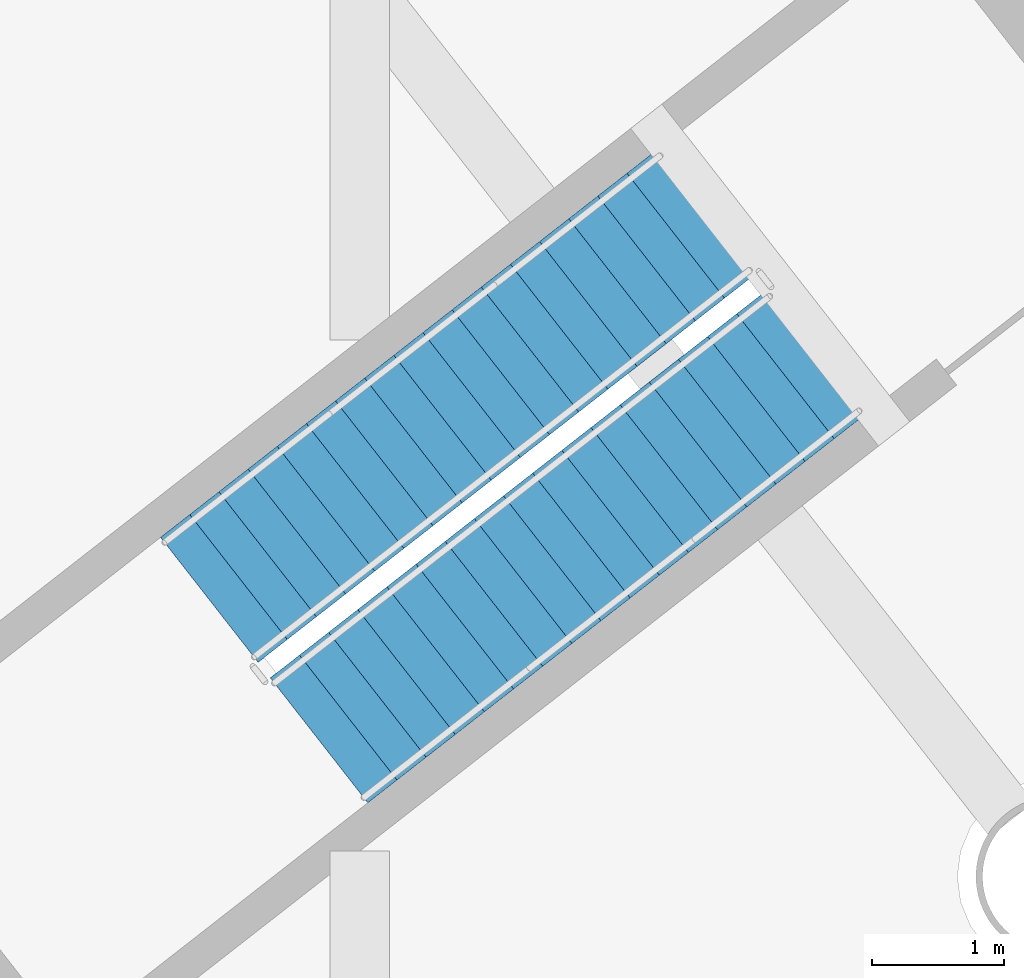
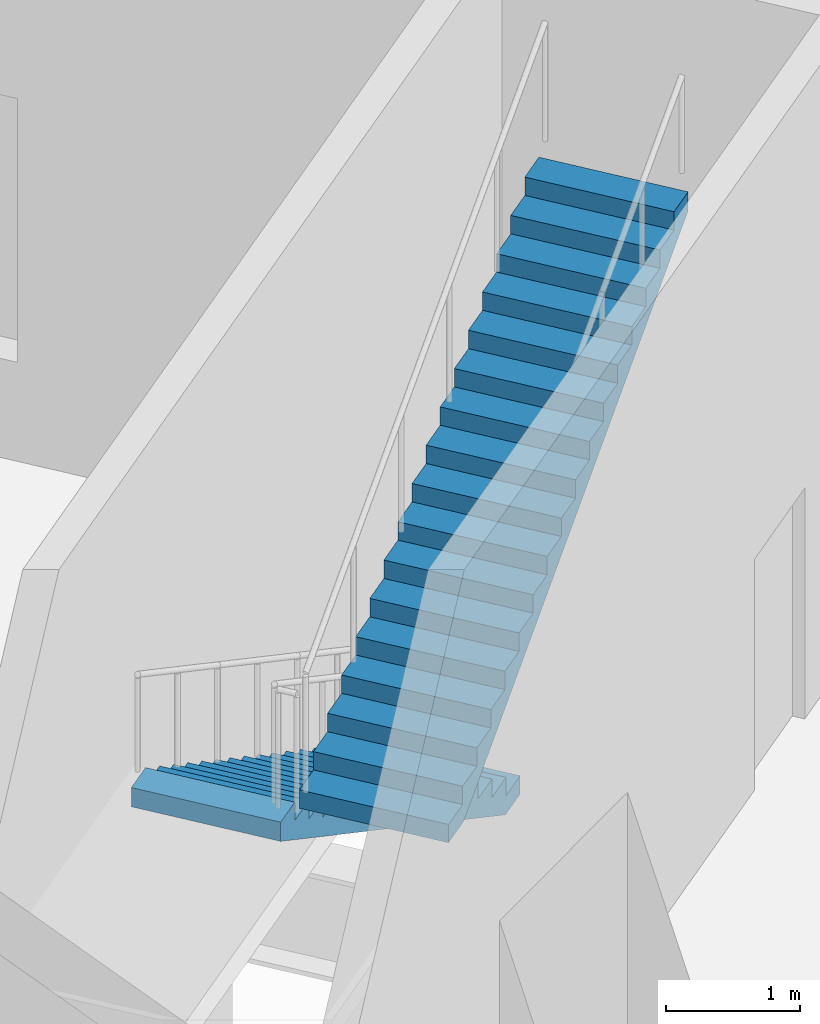
# One storey, part 17 of 24: 2 stair flights, 1 element without a shape of its own.
"""IFC4 building model written with IfcOpenShell, lengths in metres."""

from ifc_helpers import new_model, si_unit, direction, frame, origin, place, context, subcontext, project, spatial, faceted_brep, material, type_object, element, aggregate, save


model = new_model("IFC4")

# Units and contexts
model_context = context("Model", 3, precision=1e-05, world=origin(), true_north=direction((0.0, 1.0)))
body_context = subcontext(model_context, "Body", "Model", "MODEL_VIEW")
ifc_project = project(units=[si_unit("LENGTHUNIT", "METRE"), si_unit("AREAUNIT", "SQUARE_METRE"), si_unit("VOLUMEUNIT", "CUBIC_METRE"), si_unit("PLANEANGLEUNIT", "RADIAN"), si_unit("MASSUNIT", "GRAM", prefix="KILO")], contexts=[model_context])

# Site, building, storey
site_placement = place(None, origin())
site = spatial("IfcSite", under=ifc_project, at=site_placement, CompositionType="ELEMENT")
building_placement = place(site_placement, origin())
building = spatial("IfcBuilding", under=site, at=building_placement, Name="Tarsis Ring Headquarters", CompositionType="ELEMENT")
storey_placement = place(building_placement, frame((0.0, 0.0, 8.0)))
storey = spatial("IfcBuildingStorey", under=building, at=storey_placement, Name="L01", CompositionType="ELEMENT", Elevation=8.0)

# Stair, stair flights
ifc_material = material(Name="Concrete C40/50", Category="concrete")
stair_type = type_object("IfcStairType", Name="PO-ST", PredefinedType="HALF_TURN_STAIR", material=ifc_material)
stair_placement = place(storey_placement, origin())
stair = element("IfcStair", 1, at=stair_placement, inside=storey, type_object=stair_type, Name="L01 Podium stair", PredefinedType="HALF_TURN_STAIR")
stair_flight_type = type_object("IfcStairFlightType", Name="PO-STF", PredefinedType="STRAIGHT", material=ifc_material)
stair_flight_1_placement = place(storey_placement, frame((-6.387939453125, 33.8330078125, 0.0), z_axis=(0.0, 0.0, 1.0), x_axis=(-0.788276433435, -0.615321269331, 0.0)))
stair_flight_1 = element("IfcStairFlight", 2, at=stair_flight_1_placement, type_object=stair_flight_type, Name="Stair PS3 flight 1", NumberOfRisers=18, NumberOfTreads=17, PredefinedType="STRAIGHT", RiserHeight=0.166666667, TreadLength=0.28, context=body_context, shape_type="Brep", body=[
    faceted_brep([(0.0, 0.60009765625, 0.0), (0.0, 0.60009765625, 0.166748046875), (0.280029296875, 0.60009765625, 0.166748046875), (0.280029296875, 0.60009765625, 0.333251953125), (0.56005859375, 0.60009765625, 0.333251953125), (0.56005859375, 0.60009765625, 0.5), (0.840087890625, 0.60009765625, 0.5), (0.840087890625, 0.60009765625, 0.666748046875), (1.1201171875, 0.60009765625, 0.666748046875), (1.1201171875, 0.60009765625, 0.833251953125), (1.39990234375, 0.60009765625, 0.833251953125), (1.39990234375, 0.60009765625, 1.0), (1.679931640625, 0.60009765625, 1.0), (1.679931640625, 0.60009765625, 1.166748046875), (1.9599609375, 0.60009765625, 1.166748046875), (1.9599609375, 0.60009765625, 1.333251953125), (2.239990234375, 0.60009765625, 1.333251953125), (2.239990234375, 0.60009765625, 1.5), (2.52001953125, 0.60009765625, 1.5), (2.52001953125, 0.60009765625, 1.666748046875), (2.800048828125, 0.60009765625, 1.666748046875), (2.800048828125, 0.60009765625, 1.833251953125), (3.080078125, 0.60009765625, 1.833251953125), (3.080078125, 0.60009765625, 2.0), (3.360107421875, 0.60009765625, 2.0), (3.360107421875, 0.60009765625, 2.166748046875), (3.639892578125, 0.60009765625, 2.166748046875), (3.639892578125, 0.60009765625, 2.333251953125), (3.919921875, 0.60009765625, 2.333251953125), (3.919921875, 0.60009765625, 2.5), (4.199951171875, 0.60009765625, 2.5), (4.199951171875, 0.60009765625, 2.666748046875), (4.47998046875, 0.60009765625, 2.666748046875), (4.47998046875, 0.60009765625, 2.833251953125), (4.760009765625, 0.60009765625, 2.833251953125), (4.760009765625, 0.60009765625, 2.658935546875), (0.29296875, 0.60009765625, 0.0), (0.29296875, -0.60009765625, 0.0), (4.760009765625, -0.60009765625, 2.658935546875), (4.760009765625, -0.60009765625, 2.833251953125), (4.47998046875, -0.60009765625, 2.833251953125), (4.47998046875, -0.60009765625, 2.666748046875), (4.199951171875, -0.60009765625, 2.666748046875), (4.199951171875, -0.60009765625, 2.5), (3.919921875, -0.60009765625, 2.5), (3.919921875, -0.60009765625, 2.333251953125), (3.639892578125, -0.60009765625, 2.333251953125), (3.639892578125, -0.60009765625, 2.166748046875), (3.360107421875, -0.60009765625, 2.166748046875), (3.360107421875, -0.60009765625, 2.0), (3.080078125, -0.60009765625, 2.0), (3.080078125, -0.60009765625, 1.833251953125), (2.800048828125, -0.60009765625, 1.833251953125), (2.800048828125, -0.60009765625, 1.666748046875), (2.52001953125, -0.60009765625, 1.666748046875), (2.52001953125, -0.60009765625, 1.5), (2.239990234375, -0.60009765625, 1.5), (2.239990234375, -0.60009765625, 1.333251953125), (1.9599609375, -0.60009765625, 1.333251953125), (1.9599609375, -0.60009765625, 1.166748046875), (1.679931640625, -0.60009765625, 1.166748046875), (1.679931640625, -0.60009765625, 1.0), (1.39990234375, -0.60009765625, 1.0), (1.39990234375, -0.60009765625, 0.833251953125), (1.1201171875, -0.60009765625, 0.833251953125), (1.1201171875, -0.60009765625, 0.666748046875), (0.840087890625, -0.60009765625, 0.666748046875), (0.840087890625, -0.60009765625, 0.5), (0.56005859375, -0.60009765625, 0.5), (0.56005859375, -0.60009765625, 0.333251953125), (0.280029296875, -0.60009765625, 0.333251953125), (0.280029296875, -0.60009765625, 0.166748046875), (0.0, -0.60009765625, 0.166748046875), (0.0, -0.60009765625, 0.0), (0.0, -0.300048828125, 0.166748046875), (0.0, -0.300048828125, 0.0), (0.0, 0.0, 0.166748046875), (0.0, 0.0, 0.0), (0.0, 0.300048828125, 0.166748046875), (0.0, 0.300048828125, 0.0), (0.280029296875, -0.300048828125, 0.166748046875), (0.280029296875, 0.0, 0.166748046875), (0.280029296875, 0.300048828125, 0.166748046875), (0.280029296875, -0.300048828125, 0.333251953125), (0.280029296875, 0.0, 0.333251953125), (0.280029296875, 0.300048828125, 0.333251953125), (0.56005859375, -0.300048828125, 0.333251953125), (0.56005859375, 0.0, 0.333251953125), (0.56005859375, 0.300048828125, 0.333251953125), (0.56005859375, -0.300048828125, 0.5), (0.56005859375, 0.0, 0.5), (0.56005859375, 0.300048828125, 0.5), (0.840087890625, -0.300048828125, 0.5), (0.840087890625, 0.0, 0.5), (0.840087890625, 0.300048828125, 0.5), (0.840087890625, -0.300048828125, 0.666748046875), (0.840087890625, 0.0, 0.666748046875), (0.840087890625, 0.300048828125, 0.666748046875), (1.1201171875, -0.300048828125, 0.666748046875), (1.1201171875, 0.0, 0.666748046875), (1.1201171875, 0.300048828125, 0.666748046875), (1.1201171875, -0.300048828125, 0.833251953125), (1.1201171875, 0.0, 0.833251953125), (1.1201171875, 0.300048828125, 0.833251953125), (1.39990234375, -0.300048828125, 0.833251953125), (1.39990234375, 0.0, 0.833251953125), (1.39990234375, 0.300048828125, 0.833251953125), (1.39990234375, -0.300048828125, 1.0), (1.39990234375, 0.0, 1.0), (1.39990234375, 0.300048828125, 1.0), (1.679931640625, -0.300048828125, 1.0), (1.679931640625, 0.0, 1.0), (1.679931640625, 0.300048828125, 1.0), (1.679931640625, -0.300048828125, 1.166748046875), (1.679931640625, 0.0, 1.166748046875), (1.679931640625, 0.300048828125, 1.166748046875), (1.9599609375, -0.300048828125, 1.166748046875), (1.9599609375, 0.0, 1.166748046875), (1.9599609375, 0.300048828125, 1.166748046875), (1.9599609375, -0.300048828125, 1.333251953125), (1.9599609375, 0.0, 1.333251953125), (1.9599609375, 0.300048828125, 1.333251953125), (2.239990234375, -0.300048828125, 1.333251953125), (2.239990234375, 0.0, 1.333251953125), (2.239990234375, 0.300048828125, 1.333251953125), (2.239990234375, -0.300048828125, 1.5), (2.239990234375, 0.0, 1.5), (2.239990234375, 0.300048828125, 1.5), (2.52001953125, -0.300048828125, 1.5), (2.52001953125, 0.0, 1.5), (2.52001953125, 0.300048828125, 1.5), (2.52001953125, -0.300048828125, 1.666748046875), (2.52001953125, 0.0, 1.666748046875), (2.52001953125, 0.300048828125, 1.666748046875), (2.800048828125, -0.300048828125, 1.666748046875), (2.800048828125, 0.0, 1.666748046875), (2.800048828125, 0.300048828125, 1.666748046875), (2.800048828125, -0.300048828125, 1.833251953125), (2.800048828125, 0.0, 1.833251953125), (2.800048828125, 0.300048828125, 1.833251953125), (3.080078125, -0.300048828125, 1.833251953125), (3.080078125, 0.0, 1.833251953125), (3.080078125, 0.300048828125, 1.833251953125), (3.080078125, -0.300048828125, 2.0), (3.080078125, 0.0, 2.0), (3.080078125, 0.300048828125, 2.0), (3.360107421875, -0.300048828125, 2.0), (3.360107421875, 0.0, 2.0), (3.360107421875, 0.300048828125, 2.0), (3.360107421875, -0.300048828125, 2.166748046875), (3.360107421875, 0.0, 2.166748046875), (3.360107421875, 0.300048828125, 2.166748046875), (3.639892578125, -0.300048828125, 2.166748046875), (3.639892578125, 0.0, 2.166748046875), (3.639892578125, 0.300048828125, 2.166748046875), (3.639892578125, -0.300048828125, 2.333251953125), (3.639892578125, 0.0, 2.333251953125), (3.639892578125, 0.300048828125, 2.333251953125), (3.919921875, -0.300048828125, 2.333251953125), (3.919921875, 0.0, 2.333251953125), (3.919921875, 0.300048828125, 2.333251953125), (3.919921875, -0.300048828125, 2.5), (3.919921875, 0.0, 2.5), (3.919921875, 0.300048828125, 2.5), (4.199951171875, -0.300048828125, 2.5), (4.199951171875, 0.0, 2.5), (4.199951171875, 0.300048828125, 2.5), (4.199951171875, -0.300048828125, 2.666748046875), (4.199951171875, 0.0, 2.666748046875), (4.199951171875, 0.300048828125, 2.666748046875), (4.47998046875, -0.300048828125, 2.666748046875), (4.47998046875, 0.0, 2.666748046875), (4.47998046875, 0.300048828125, 2.666748046875), (4.47998046875, -0.300048828125, 2.833251953125), (4.47998046875, 0.0, 2.833251953125), (4.47998046875, 0.300048828125, 2.833251953125), (4.760009765625, -0.300048828125, 2.833251953125), (4.760009765625, 0.0, 2.833251953125), (4.760009765625, 0.300048828125, 2.833251953125), (4.760009765625, -0.300048828125, 2.658935546875), (4.760009765625, 0.0, 2.658935546875), (4.760009765625, 0.300048828125, 2.658935546875), (0.29296875, -0.300048828125, 0.0), (0.29296875, 0.0, 0.0), (0.29296875, 0.300048828125, 0.0)], [[[0, 1, 2, 3, 4, 5, 6, 7, 8, 9, 10, 11, 12, 13, 14, 15, 16, 17, 18, 19, 20, 21, 22, 23, 24, 25, 26, 27, 28, 29, 30, 31, 32, 33, 34, 35, 36]], [[37, 38, 39, 40, 41, 42, 43, 44, 45, 46, 47, 48, 49, 50, 51, 52, 53, 54, 55, 56, 57, 58, 59, 60, 61, 62, 63, 64, 65, 66, 67, 68, 69, 70, 71, 72, 73]], [[73, 72, 74, 75]], [[75, 74, 76, 77]], [[77, 76, 78, 79]], [[79, 78, 1, 0]], [[72, 71, 80, 74]], [[74, 80, 81, 76]], [[76, 81, 82, 78]], [[78, 82, 2, 1]], [[71, 70, 83, 80]], [[80, 83, 84, 81]], [[81, 84, 85, 82]], [[82, 85, 3, 2]], [[70, 69, 86, 83]], [[83, 86, 87, 84]], [[84, 87, 88, 85]], [[85, 88, 4, 3]], [[69, 68, 89, 86]], [[86, 89, 90, 87]], [[87, 90, 91, 88]], [[88, 91, 5, 4]], [[68, 67, 92, 89]], [[89, 92, 93, 90]], [[90, 93, 94, 91]], [[91, 94, 6, 5]], [[67, 66, 95, 92]], [[92, 95, 96, 93]], [[93, 96, 97, 94]], [[94, 97, 7, 6]], [[66, 65, 98, 95]], [[95, 98, 99, 96]], [[96, 99, 100, 97]], [[97, 100, 8, 7]], [[65, 64, 101, 98]], [[98, 101, 102, 99]], [[99, 102, 103, 100]], [[100, 103, 9, 8]], [[64, 63, 104, 101]], [[101, 104, 105, 102]], [[102, 105, 106, 103]], [[103, 106, 10, 9]], [[63, 62, 107, 104]], [[104, 107, 108, 105]], [[105, 108, 109, 106]], [[106, 109, 11, 10]], [[62, 61, 110, 107]], [[107, 110, 111, 108]], [[108, 111, 112, 109]], [[109, 112, 12, 11]], [[61, 60, 113, 110]], [[110, 113, 114, 111]], [[111, 114, 115, 112]], [[112, 115, 13, 12]], [[60, 59, 116, 113]], [[113, 116, 117, 114]], [[114, 117, 118, 115]], [[115, 118, 14, 13]], [[59, 58, 119, 116]], [[116, 119, 120, 117]], [[117, 120, 121, 118]], [[118, 121, 15, 14]], [[58, 57, 122, 119]], [[119, 122, 123, 120]], [[120, 123, 124, 121]], [[121, 124, 16, 15]], [[57, 56, 125, 122]], [[122, 125, 126, 123]], [[123, 126, 127, 124]], [[124, 127, 17, 16]], [[56, 55, 128, 125]], [[125, 128, 129, 126]], [[126, 129, 130, 127]], [[127, 130, 18, 17]], [[55, 54, 131, 128]], [[128, 131, 132, 129]], [[129, 132, 133, 130]], [[130, 133, 19, 18]], [[54, 53, 134, 131]], [[131, 134, 135, 132]], [[132, 135, 136, 133]], [[133, 136, 20, 19]], [[53, 52, 137, 134]], [[134, 137, 138, 135]], [[135, 138, 139, 136]], [[136, 139, 21, 20]], [[52, 51, 140, 137]], [[137, 140, 141, 138]], [[138, 141, 142, 139]], [[139, 142, 22, 21]], [[51, 50, 143, 140]], [[140, 143, 144, 141]], [[141, 144, 145, 142]], [[142, 145, 23, 22]], [[50, 49, 146, 143]], [[143, 146, 147, 144]], [[144, 147, 148, 145]], [[145, 148, 24, 23]], [[49, 48, 149, 146]], [[146, 149, 150, 147]], [[147, 150, 151, 148]], [[148, 151, 25, 24]], [[48, 47, 152, 149]], [[149, 152, 153, 150]], [[150, 153, 154, 151]], [[151, 154, 26, 25]], [[47, 46, 155, 152]], [[152, 155, 156, 153]], [[153, 156, 157, 154]], [[154, 157, 27, 26]], [[46, 45, 158, 155]], [[155, 158, 159, 156]], [[156, 159, 160, 157]], [[157, 160, 28, 27]], [[45, 44, 161, 158]], [[158, 161, 162, 159]], [[159, 162, 163, 160]], [[160, 163, 29, 28]], [[44, 43, 164, 161]], [[161, 164, 165, 162]], [[162, 165, 166, 163]], [[163, 166, 30, 29]], [[43, 42, 167, 164]], [[164, 167, 168, 165]], [[165, 168, 169, 166]], [[166, 169, 31, 30]], [[42, 41, 170, 167]], [[167, 170, 171, 168]], [[168, 171, 172, 169]], [[169, 172, 32, 31]], [[41, 40, 173, 170]], [[170, 173, 174, 171]], [[171, 174, 175, 172]], [[172, 175, 33, 32]], [[40, 39, 176, 173]], [[173, 176, 177, 174]], [[174, 177, 178, 175]], [[175, 178, 34, 33]], [[39, 38, 179, 176]], [[176, 179, 180, 177]], [[177, 180, 181, 178]], [[178, 181, 35, 34]], [[38, 37, 182, 179]], [[179, 182, 183, 180]], [[180, 183, 184, 181]], [[181, 184, 36, 35]], [[37, 73, 75, 182]], [[182, 75, 77, 183]], [[183, 77, 79, 184]], [[184, 79, 0, 36]]]),
])
stair_flight_2_placement = place(storey_placement, frame((-9.309326171875, 29.83984375, 3.0), z_axis=(0.0, 0.0, 1.0), x_axis=(0.788276433435, 0.615321269331, 0.0)))
stair_flight_2 = element("IfcStairFlight", 3, at=stair_flight_2_placement, type_object=stair_flight_type, Name="Stair PS3 flight 2", NumberOfRisers=18, NumberOfTreads=17, PredefinedType="STRAIGHT", RiserHeight=0.166666667, TreadLength=0.28, context=body_context, shape_type="Brep", body=[
    faceted_brep([(0.0, 0.60009765625, 0.0), (0.0, 0.60009765625, 0.166748046875), (0.280029296875, 0.60009765625, 0.166748046875), (0.280029296875, 0.60009765625, 0.333251953125), (0.56005859375, 0.60009765625, 0.333251953125), (0.56005859375, 0.60009765625, 0.5), (0.840087890625, 0.60009765625, 0.5), (0.840087890625, 0.60009765625, 0.666748046875), (1.1201171875, 0.60009765625, 0.666748046875), (1.1201171875, 0.60009765625, 0.833251953125), (1.39990234375, 0.60009765625, 0.833251953125), (1.39990234375, 0.60009765625, 1.0), (1.679931640625, 0.60009765625, 1.0), (1.679931640625, 0.60009765625, 1.166748046875), (1.9599609375, 0.60009765625, 1.166748046875), (1.9599609375, 0.60009765625, 1.333251953125), (2.239990234375, 0.60009765625, 1.333251953125), (2.239990234375, 0.60009765625, 1.5), (2.52001953125, 0.60009765625, 1.5), (2.52001953125, 0.60009765625, 1.666748046875), (2.800048828125, 0.60009765625, 1.666748046875), (2.800048828125, 0.60009765625, 1.833251953125), (3.080078125, 0.60009765625, 1.833251953125), (3.080078125, 0.60009765625, 2.0), (3.360107421875, 0.60009765625, 2.0), (3.360107421875, 0.60009765625, 2.166748046875), (3.639892578125, 0.60009765625, 2.166748046875), (3.639892578125, 0.60009765625, 2.333251953125), (3.919921875, 0.60009765625, 2.333251953125), (3.919921875, 0.60009765625, 2.5), (4.199951171875, 0.60009765625, 2.5), (4.199951171875, 0.60009765625, 2.666748046875), (4.47998046875, 0.60009765625, 2.666748046875), (4.47998046875, 0.60009765625, 2.833251953125), (4.760009765625, 0.60009765625, 2.833251953125), (4.760009765625, 0.60009765625, 2.658935546875), (0.29296875, 0.60009765625, 0.0), (0.29296875, -0.60009765625, 0.0), (4.760009765625, -0.60009765625, 2.658935546875), (4.760009765625, -0.60009765625, 2.833251953125), (4.47998046875, -0.60009765625, 2.833251953125), (4.47998046875, -0.60009765625, 2.666748046875), (4.199951171875, -0.60009765625, 2.666748046875), (4.199951171875, -0.60009765625, 2.5), (3.919921875, -0.60009765625, 2.5), (3.919921875, -0.60009765625, 2.333251953125), (3.639892578125, -0.60009765625, 2.333251953125), (3.639892578125, -0.60009765625, 2.166748046875), (3.360107421875, -0.60009765625, 2.166748046875), (3.360107421875, -0.60009765625, 2.0), (3.080078125, -0.60009765625, 2.0), (3.080078125, -0.60009765625, 1.833251953125), (2.800048828125, -0.60009765625, 1.833251953125), (2.800048828125, -0.60009765625, 1.666748046875), (2.52001953125, -0.60009765625, 1.666748046875), (2.52001953125, -0.60009765625, 1.5), (2.239990234375, -0.60009765625, 1.5), (2.239990234375, -0.60009765625, 1.333251953125), (1.9599609375, -0.60009765625, 1.333251953125), (1.9599609375, -0.60009765625, 1.166748046875), (1.679931640625, -0.60009765625, 1.166748046875), (1.679931640625, -0.60009765625, 1.0), (1.39990234375, -0.60009765625, 1.0), (1.39990234375, -0.60009765625, 0.833251953125), (1.1201171875, -0.60009765625, 0.833251953125), (1.1201171875, -0.60009765625, 0.666748046875), (0.840087890625, -0.60009765625, 0.666748046875), (0.840087890625, -0.60009765625, 0.5), (0.56005859375, -0.60009765625, 0.5), (0.56005859375, -0.60009765625, 0.333251953125), (0.280029296875, -0.60009765625, 0.333251953125), (0.280029296875, -0.60009765625, 0.166748046875), (0.0, -0.60009765625, 0.166748046875), (0.0, -0.60009765625, 0.0), (0.0, -0.300048828125, 0.166748046875), (0.0, -0.300048828125, 0.0), (0.0, 0.0, 0.166748046875), (0.0, 0.0, 0.0), (0.0, 0.300048828125, 0.166748046875), (0.0, 0.300048828125, 0.0), (0.280029296875, -0.300048828125, 0.166748046875), (0.280029296875, 0.0, 0.166748046875), (0.280029296875, 0.300048828125, 0.166748046875), (0.280029296875, -0.300048828125, 0.333251953125), (0.280029296875, 0.0, 0.333251953125), (0.280029296875, 0.300048828125, 0.333251953125), (0.56005859375, -0.300048828125, 0.333251953125), (0.56005859375, 0.0, 0.333251953125), (0.56005859375, 0.300048828125, 0.333251953125), (0.56005859375, -0.300048828125, 0.5), (0.56005859375, 0.0, 0.5), (0.56005859375, 0.300048828125, 0.5), (0.840087890625, -0.300048828125, 0.5), (0.840087890625, 0.0, 0.5), (0.840087890625, 0.300048828125, 0.5), (0.840087890625, -0.300048828125, 0.666748046875), (0.840087890625, 0.0, 0.666748046875), (0.840087890625, 0.300048828125, 0.666748046875), (1.1201171875, -0.300048828125, 0.666748046875), (1.1201171875, 0.0, 0.666748046875), (1.1201171875, 0.300048828125, 0.666748046875), (1.1201171875, -0.300048828125, 0.833251953125), (1.1201171875, 0.0, 0.833251953125), (1.1201171875, 0.300048828125, 0.833251953125), (1.39990234375, -0.300048828125, 0.833251953125), (1.39990234375, 0.0, 0.833251953125), (1.39990234375, 0.300048828125, 0.833251953125), (1.39990234375, -0.300048828125, 1.0), (1.39990234375, 0.0, 1.0), (1.39990234375, 0.300048828125, 1.0), (1.679931640625, -0.300048828125, 1.0), (1.679931640625, 0.0, 1.0), (1.679931640625, 0.300048828125, 1.0), (1.679931640625, -0.300048828125, 1.166748046875), (1.679931640625, 0.0, 1.166748046875), (1.679931640625, 0.300048828125, 1.166748046875), (1.9599609375, -0.300048828125, 1.166748046875), (1.9599609375, 0.0, 1.166748046875), (1.9599609375, 0.300048828125, 1.166748046875), (1.9599609375, -0.300048828125, 1.333251953125), (1.9599609375, 0.0, 1.333251953125), (1.9599609375, 0.300048828125, 1.333251953125), (2.239990234375, -0.300048828125, 1.333251953125), (2.239990234375, 0.0, 1.333251953125), (2.239990234375, 0.300048828125, 1.333251953125), (2.239990234375, -0.300048828125, 1.5), (2.239990234375, 0.0, 1.5), (2.239990234375, 0.300048828125, 1.5), (2.52001953125, -0.300048828125, 1.5), (2.52001953125, 0.0, 1.5), (2.52001953125, 0.300048828125, 1.5), (2.52001953125, -0.300048828125, 1.666748046875), (2.52001953125, 0.0, 1.666748046875), (2.52001953125, 0.300048828125, 1.666748046875), (2.800048828125, -0.300048828125, 1.666748046875), (2.800048828125, 0.0, 1.666748046875), (2.800048828125, 0.300048828125, 1.666748046875), (2.800048828125, -0.300048828125, 1.833251953125), (2.800048828125, 0.0, 1.833251953125), (2.800048828125, 0.300048828125, 1.833251953125), (3.080078125, -0.300048828125, 1.833251953125), (3.080078125, 0.0, 1.833251953125), (3.080078125, 0.300048828125, 1.833251953125), (3.080078125, -0.300048828125, 2.0), (3.080078125, 0.0, 2.0), (3.080078125, 0.300048828125, 2.0), (3.360107421875, -0.300048828125, 2.0), (3.360107421875, 0.0, 2.0), (3.360107421875, 0.300048828125, 2.0), (3.360107421875, -0.300048828125, 2.166748046875), (3.360107421875, 0.0, 2.166748046875), (3.360107421875, 0.300048828125, 2.166748046875), (3.639892578125, -0.300048828125, 2.166748046875), (3.639892578125, 0.0, 2.166748046875), (3.639892578125, 0.300048828125, 2.166748046875), (3.639892578125, -0.300048828125, 2.333251953125), (3.639892578125, 0.0, 2.333251953125), (3.639892578125, 0.300048828125, 2.333251953125), (3.919921875, -0.300048828125, 2.333251953125), (3.919921875, 0.0, 2.333251953125), (3.919921875, 0.300048828125, 2.333251953125), (3.919921875, -0.300048828125, 2.5), (3.919921875, 0.0, 2.5), (3.919921875, 0.300048828125, 2.5), (4.199951171875, -0.300048828125, 2.5), (4.199951171875, 0.0, 2.5), (4.199951171875, 0.300048828125, 2.5), (4.199951171875, -0.300048828125, 2.666748046875), (4.199951171875, 0.0, 2.666748046875), (4.199951171875, 0.300048828125, 2.666748046875), (4.47998046875, -0.300048828125, 2.666748046875), (4.47998046875, 0.0, 2.666748046875), (4.47998046875, 0.300048828125, 2.666748046875), (4.47998046875, -0.300048828125, 2.833251953125), (4.47998046875, 0.0, 2.833251953125), (4.47998046875, 0.300048828125, 2.833251953125), (4.760009765625, -0.300048828125, 2.833251953125), (4.760009765625, 0.0, 2.833251953125), (4.760009765625, 0.300048828125, 2.833251953125), (4.760009765625, -0.300048828125, 2.658935546875), (4.760009765625, 0.0, 2.658935546875), (4.760009765625, 0.300048828125, 2.658935546875), (0.29296875, -0.300048828125, 0.0), (0.29296875, 0.0, 0.0), (0.29296875, 0.300048828125, 0.0)], [[[0, 1, 2, 3, 4, 5, 6, 7, 8, 9, 10, 11, 12, 13, 14, 15, 16, 17, 18, 19, 20, 21, 22, 23, 24, 25, 26, 27, 28, 29, 30, 31, 32, 33, 34, 35, 36]], [[37, 38, 39, 40, 41, 42, 43, 44, 45, 46, 47, 48, 49, 50, 51, 52, 53, 54, 55, 56, 57, 58, 59, 60, 61, 62, 63, 64, 65, 66, 67, 68, 69, 70, 71, 72, 73]], [[73, 72, 74, 75]], [[75, 74, 76, 77]], [[77, 76, 78, 79]], [[79, 78, 1, 0]], [[72, 71, 80, 74]], [[74, 80, 81, 76]], [[76, 81, 82, 78]], [[78, 82, 2, 1]], [[71, 70, 83, 80]], [[80, 83, 84, 81]], [[81, 84, 85, 82]], [[82, 85, 3, 2]], [[70, 69, 86, 83]], [[83, 86, 87, 84]], [[84, 87, 88, 85]], [[85, 88, 4, 3]], [[69, 68, 89, 86]], [[86, 89, 90, 87]], [[87, 90, 91, 88]], [[88, 91, 5, 4]], [[68, 67, 92, 89]], [[89, 92, 93, 90]], [[90, 93, 94, 91]], [[91, 94, 6, 5]], [[67, 66, 95, 92]], [[92, 95, 96, 93]], [[93, 96, 97, 94]], [[94, 97, 7, 6]], [[66, 65, 98, 95]], [[95, 98, 99, 96]], [[96, 99, 100, 97]], [[97, 100, 8, 7]], [[65, 64, 101, 98]], [[98, 101, 102, 99]], [[99, 102, 103, 100]], [[100, 103, 9, 8]], [[64, 63, 104, 101]], [[101, 104, 105, 102]], [[102, 105, 106, 103]], [[103, 106, 10, 9]], [[63, 62, 107, 104]], [[104, 107, 108, 105]], [[105, 108, 109, 106]], [[106, 109, 11, 10]], [[62, 61, 110, 107]], [[107, 110, 111, 108]], [[108, 111, 112, 109]], [[109, 112, 12, 11]], [[61, 60, 113, 110]], [[110, 113, 114, 111]], [[111, 114, 115, 112]], [[112, 115, 13, 12]], [[60, 59, 116, 113]], [[113, 116, 117, 114]], [[114, 117, 118, 115]], [[115, 118, 14, 13]], [[59, 58, 119, 116]], [[116, 119, 120, 117]], [[117, 120, 121, 118]], [[118, 121, 15, 14]], [[58, 57, 122, 119]], [[119, 122, 123, 120]], [[120, 123, 124, 121]], [[121, 124, 16, 15]], [[57, 56, 125, 122]], [[122, 125, 126, 123]], [[123, 126, 127, 124]], [[124, 127, 17, 16]], [[56, 55, 128, 125]], [[125, 128, 129, 126]], [[126, 129, 130, 127]], [[127, 130, 18, 17]], [[55, 54, 131, 128]], [[128, 131, 132, 129]], [[129, 132, 133, 130]], [[130, 133, 19, 18]], [[54, 53, 134, 131]], [[131, 134, 135, 132]], [[132, 135, 136, 133]], [[133, 136, 20, 19]], [[53, 52, 137, 134]], [[134, 137, 138, 135]], [[135, 138, 139, 136]], [[136, 139, 21, 20]], [[52, 51, 140, 137]], [[137, 140, 141, 138]], [[138, 141, 142, 139]], [[139, 142, 22, 21]], [[51, 50, 143, 140]], [[140, 143, 144, 141]], [[141, 144, 145, 142]], [[142, 145, 23, 22]], [[50, 49, 146, 143]], [[143, 146, 147, 144]], [[144, 147, 148, 145]], [[145, 148, 24, 23]], [[49, 48, 149, 146]], [[146, 149, 150, 147]], [[147, 150, 151, 148]], [[148, 151, 25, 24]], [[48, 47, 152, 149]], [[149, 152, 153, 150]], [[150, 153, 154, 151]], [[151, 154, 26, 25]], [[47, 46, 155, 152]], [[152, 155, 156, 153]], [[153, 156, 157, 154]], [[154, 157, 27, 26]], [[46, 45, 158, 155]], [[155, 158, 159, 156]], [[156, 159, 160, 157]], [[157, 160, 28, 27]], [[45, 44, 161, 158]], [[158, 161, 162, 159]], [[159, 162, 163, 160]], [[160, 163, 29, 28]], [[44, 43, 164, 161]], [[161, 164, 165, 162]], [[162, 165, 166, 163]], [[163, 166, 30, 29]], [[43, 42, 167, 164]], [[164, 167, 168, 165]], [[165, 168, 169, 166]], [[166, 169, 31, 30]], [[42, 41, 170, 167]], [[167, 170, 171, 168]], [[168, 171, 172, 169]], [[169, 172, 32, 31]], [[41, 40, 173, 170]], [[170, 173, 174, 171]], [[171, 174, 175, 172]], [[172, 175, 33, 32]], [[40, 39, 176, 173]], [[173, 176, 177, 174]], [[174, 177, 178, 175]], [[175, 178, 34, 33]], [[39, 38, 179, 176]], [[176, 179, 180, 177]], [[177, 180, 181, 178]], [[178, 181, 35, 34]], [[38, 37, 182, 179]], [[179, 182, 183, 180]], [[180, 183, 184, 181]], [[181, 184, 36, 35]], [[37, 73, 75, 182]], [[182, 75, 77, 183]], [[183, 77, 79, 184]], [[184, 79, 0, 36]]]),
])
aggregate(stair, [stair_flight_1, stair_flight_2])

save(model, "model.ifc")
